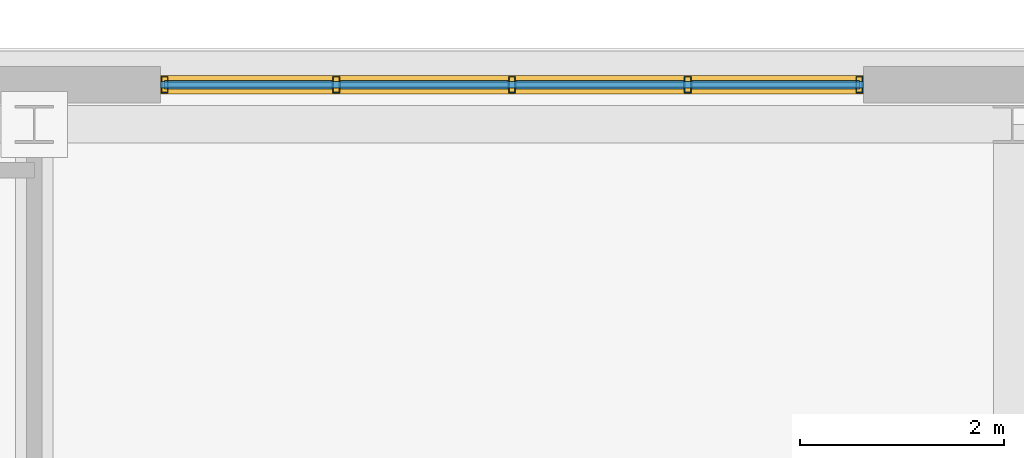
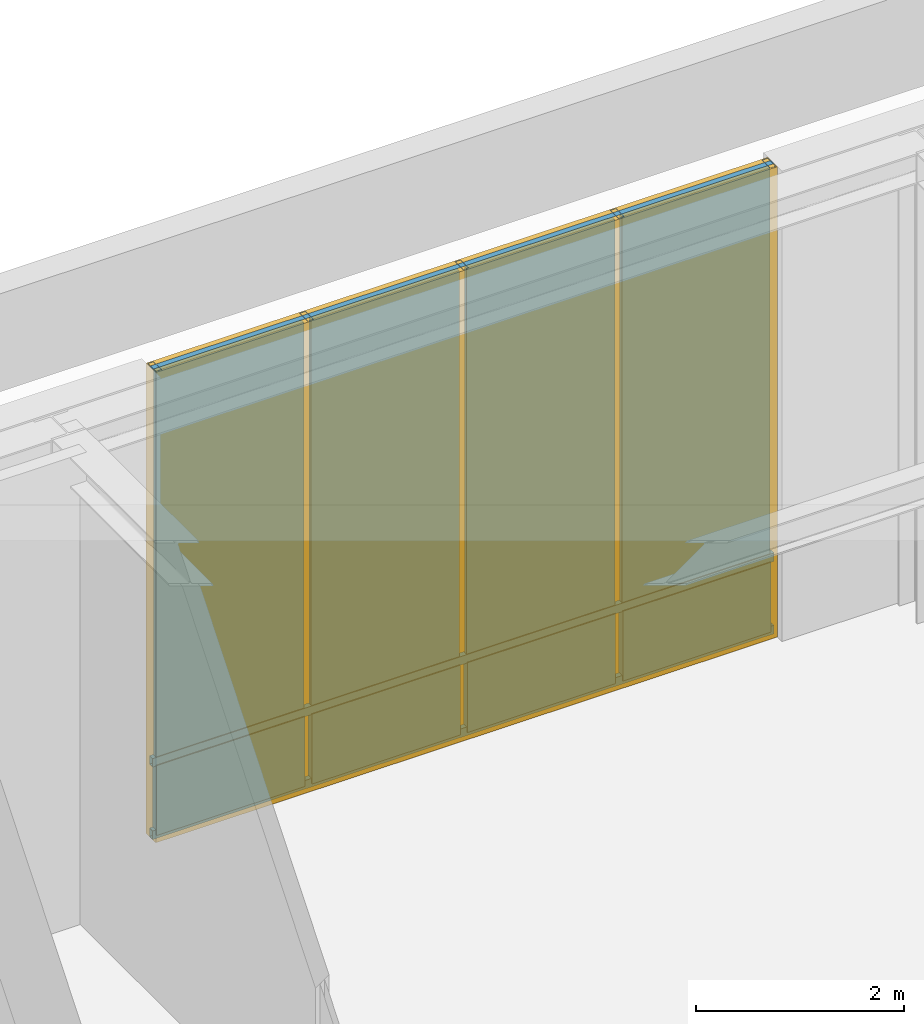
# One storey, part 14 of 17: 8 members, 8 plates, 1 curtain wall.
"""IFC4 building model written with IfcOpenShell, lengths in metres."""

from ifc_helpers import new_model, si_unit, direction, frame, frame_2d, origin, origin_2d, place, context, subcontext, project, spatial, rectangle, hollow_rectangle, extrude, material, layer, layer_set, material_profile, profile_set, type_object, element, aggregate, save


model = new_model("IFC4")

# Units and contexts
model_context = context("Model", 3, precision=1e-05, world=origin(), true_north=direction((0.0, 1.0)))
body_context = subcontext(model_context, "Body", "Model", "MODEL_VIEW")
ifc_project = project(units=[si_unit("LENGTHUNIT", "METRE"), si_unit("AREAUNIT", "SQUARE_METRE"), si_unit("VOLUMEUNIT", "CUBIC_METRE"), si_unit("PLANEANGLEUNIT", "RADIAN"), si_unit("MASSUNIT", "GRAM", prefix="KILO")], contexts=[model_context])

# Member
ifc_material_1 = material(Name="Anodized Aluminium 6063-T6", Category="aluminium")
ifc_material_profile_1 = material_profile(ifc_material_1, hollow_rectangle(XDim=0.06494140625, YDim=0.159912109375, WallThickness=0.00390625, at=origin_2d()), Name="Anodized Aluminium 6063-T6")
ifc_profile_set_1 = profile_set([ifc_material_profile_1], Name="Anodized Aluminium 6063-T6")
member_type_1 = type_object("IfcMemberType", Name="Curtain Wall Mullion 160", PredefinedType="MULLION", material=ifc_profile_set_1)
site_placement = place(None, origin())
building_placement = place(site_placement, origin())
storey_placement = place(building_placement, frame((0.0, 0.0, 308.0)))
member_1_placement = place(storey_placement, frame((27.300048828125, 47.639892578125, 0.0), z_axis=(0.0, 0.0, 1.0), x_axis=(-1.0, 0.0, 0.0)))
member_1 = element("IfcMember", 1, at=member_1_placement, type_object=member_type_1, Name="Curtain Wall Mullion CW-L78-E11-1-M01", PredefinedType="MULLION", context=body_context, shape_type="SweptSolid", body=[
    extrude(hollow_rectangle(XDim=0.06494140625, YDim=0.159912109375, WallThickness=0.00390625, at=origin_2d()), origin(), (0.0, 0.0, 1.0), 5.52001953125),
])

member_2_placement = place(storey_placement, frame((25.614990234375, 47.639892578125, 0.0), z_axis=(0.0, 0.0, 1.0), x_axis=(-1.0, 0.0, 0.0)))
member_2 = element("IfcMember", 2, at=member_2_placement, type_object=member_type_1, Name="Curtain Wall Mullion CW-L78-E11-1-M02", PredefinedType="MULLION", context=body_context, shape_type="SweptSolid", body=[
    extrude(hollow_rectangle(XDim=0.06494140625, YDim=0.159912109375, WallThickness=0.00390625, at=origin_2d()), origin(), (0.0, 0.0, 1.0), 5.52001953125),
])

member_3_placement = place(storey_placement, frame((23.889892578125, 47.639892578125, 0.0), z_axis=(0.0, 0.0, 1.0), x_axis=(-1.0, 0.0, 0.0)))
member_3 = element("IfcMember", 3, at=member_3_placement, type_object=member_type_1, Name="Curtain Wall Mullion CW-L78-E11-1-M03", PredefinedType="MULLION", context=body_context, shape_type="SweptSolid", body=[
    extrude(hollow_rectangle(XDim=0.06494140625, YDim=0.159912109375, WallThickness=0.00390625, at=origin_2d()), origin(), (0.0, 0.0, 1.0), 5.52001953125),
])

member_4_placement = place(storey_placement, frame((22.1650390625, 47.639892578125, 0.0), z_axis=(0.0, 0.0, 1.0), x_axis=(-1.0, 0.0, 0.0)))
member_4 = element("IfcMember", 4, at=member_4_placement, type_object=member_type_1, Name="Curtain Wall Mullion CW-L78-E11-1-M04", PredefinedType="MULLION", context=body_context, shape_type="SweptSolid", body=[
    extrude(hollow_rectangle(XDim=0.06494140625, YDim=0.159912109375, WallThickness=0.00390625, at=origin_2d()), origin(), (0.0, 0.0, 1.0), 5.52001953125),
])

member_5_placement = place(storey_placement, frame((20.47998046875, 47.639892578125, 0.0), z_axis=(0.0, 0.0, 1.0), x_axis=(-1.0, 0.0, 0.0)))
member_5 = element("IfcMember", 5, at=member_5_placement, type_object=member_type_1, Name="Curtain Wall Mullion CW-L78-E11-1-M05", PredefinedType="MULLION", context=body_context, shape_type="SweptSolid", body=[
    extrude(hollow_rectangle(XDim=0.06494140625, YDim=0.159912109375, WallThickness=0.00390625, at=origin_2d()), origin(), (0.0, 0.0, 1.0), 5.52001953125),
])

ifc_material_profile_2 = material_profile(ifc_material_1, hollow_rectangle(XDim=0.06005859375, YDim=0.10009765625, WallThickness=0.0029296875, at=origin_2d()), Name="Anodized Aluminium 6063-T6")
ifc_profile_set_2 = profile_set([ifc_material_profile_2], Name="Anodized Aluminium 6063-T6")
member_type_2 = type_object("IfcMemberType", Name="Curtain Wall Transom 100", PredefinedType="USERDEFINED", material=ifc_profile_set_2)
member_6_placement = place(storey_placement, frame((27.340087890625, 47.639892578125, 0.050048828125), z_axis=(-1.0, 0.0, 0.0), x_axis=(0.0, -1.0, 0.0)))
member_6 = element("IfcMember", 6, at=member_6_placement, type_object=member_type_2, Name="Curtain Wall Transom CW-L78-E11-1-T01", ObjectType="TRANSOM", PredefinedType="USERDEFINED", context=body_context, shape_type="SweptSolid", body=[
    extrude(hollow_rectangle(XDim=0.06005859375, YDim=0.10009765625, WallThickness=0.0029296875, at=origin_2d()), origin(), (0.0, 0.0, 1.0), 6.900146484375),
])

member_7_placement = place(storey_placement, frame((27.340087890625, 47.639892578125, 0.89990234375), z_axis=(-1.0, 0.0, 0.0), x_axis=(0.0, -1.0, 0.0)))
member_7 = element("IfcMember", 7, at=member_7_placement, type_object=member_type_2, Name="Curtain Wall Transom CW-L78-E11-1-T02", ObjectType="TRANSOM", PredefinedType="USERDEFINED", context=body_context, shape_type="SweptSolid", body=[
    extrude(hollow_rectangle(XDim=0.06005859375, YDim=0.10009765625, WallThickness=0.0029296875, at=origin_2d()), origin(), (0.0, 0.0, 1.0), 6.900146484375),
])

member_8_placement = place(storey_placement, frame((27.340087890625, 47.639892578125, 5.469970703125), z_axis=(-1.0, 0.0, 0.0), x_axis=(0.0, -1.0, 0.0)))
member_8 = element("IfcMember", 8, at=member_8_placement, type_object=member_type_2, Name="Curtain Wall Transom CW-L78-E11-1-T03", ObjectType="TRANSOM", PredefinedType="USERDEFINED", context=body_context, shape_type="SweptSolid", body=[
    extrude(hollow_rectangle(XDim=0.06005859375, YDim=0.10009765625, WallThickness=0.0029296875, at=origin_2d()), origin(), (0.0, 0.0, 1.0), 6.900146484375),
])

# Plate
ifc_material_2 = material(Name="Triple Low-E Argon Glazing", Category="glass")
ifc_layer_1 = layer(ifc_material_2, 0.0439453125, Name="Triple Low-E Argon Glazing")
ifc_layer_set_1 = layer_set([ifc_layer_1], Name="Triple Low-E Argon Glazing")
plate_type_1 = type_object("IfcPlateType", Name="Plate CWGlazing 44", PredefinedType="CURTAIN_PANEL", material=ifc_layer_set_1)
plate_1_placement = place(storey_placement, frame((26.4775390625, 47.639892578125, 0.93994140625), z_axis=(0.0, 0.0, 1.0), x_axis=(-1.0, 0.0, 0.0)))
plate_1 = element("IfcPlate", 9, at=plate_1_placement, type_object=plate_type_1, Name="Vision Glazing Panel CW-L78-E11-1-GL01", PredefinedType="CURTAIN_PANEL", context=body_context, shape_type="SweptSolid", body=[
    extrude(rectangle(XDim=1.64501953125, YDim=0.0439453125, at=origin_2d()), origin(), (0.0, 0.0, 1.0), 4.5400390625),
])

plate_2_placement = place(storey_placement, frame((24.75244140625, 47.639892578125, 0.93994140625), z_axis=(0.0, 0.0, 1.0), x_axis=(-1.0, 0.0, 0.0)))
plate_2 = element("IfcPlate", 10, at=plate_2_placement, type_object=plate_type_1, Name="Vision Glazing Panel CW-L78-E11-1-GL02", PredefinedType="CURTAIN_PANEL", context=body_context, shape_type="SweptSolid", body=[
    extrude(rectangle(XDim=1.64501953125, YDim=0.0439453125, at=origin_2d()), origin(), (0.0, 0.0, 1.0), 4.5400390625),
])

plate_3_placement = place(storey_placement, frame((23.027587890625, 47.639892578125, 0.93994140625), z_axis=(0.0, 0.0, 1.0), x_axis=(-1.0, 0.0, 0.0)))
plate_3 = element("IfcPlate", 11, at=plate_3_placement, type_object=plate_type_1, Name="Vision Glazing Panel CW-L78-E11-1-GL03", PredefinedType="CURTAIN_PANEL", context=body_context, shape_type="SweptSolid", body=[
    extrude(rectangle(XDim=1.64501953125, YDim=0.0439453125, at=origin_2d()), origin(), (0.0, 0.0, 1.0), 4.5400390625),
])

plate_4_placement = place(storey_placement, frame((21.302490234375, 47.639892578125, 0.93994140625), z_axis=(0.0, 0.0, 1.0), x_axis=(-1.0, 0.0, 0.0)))
plate_4 = element("IfcPlate", 12, at=plate_4_placement, type_object=plate_type_1, Name="Vision Glazing Panel CW-L78-E11-1-GL04", PredefinedType="CURTAIN_PANEL", context=body_context, shape_type="SweptSolid", body=[
    extrude(rectangle(XDim=1.64501953125, YDim=0.0439453125, at=origin_2d()), origin(), (0.0, 0.0, 1.0), 4.5400390625),
])

ifc_material_3 = material(Name="Insulated Aluminium Spandrel Panel", Category="aluminium")
ifc_layer_2 = layer(ifc_material_3, 0.080078125, Name="Insulated Aluminium Spandrel Panel")
ifc_layer_set_2 = layer_set([ifc_layer_2], Name="Insulated Aluminium Spandrel Panel")
plate_type_2 = type_object("IfcPlateType", Name="Plate CWSpandrel 80", PredefinedType="SHEET", material=ifc_layer_set_2)
plate_5_placement = place(storey_placement, frame((26.4775390625, 47.639892578125, 0.0400390625), z_axis=(0.0, 0.0, 1.0), x_axis=(-1.0, 0.0, 0.0)))
plate_5 = element("IfcPlate", 13, at=plate_5_placement, type_object=plate_type_2, Name="Spandrel Panel CW-L78-E11-1-SP01", PredefinedType="SHEET", context=body_context, shape_type="SweptSolid", body=[
    extrude(rectangle(XDim=1.64501953125, YDim=0.080078125, at=origin_2d()), origin(), (0.0, 0.0, 1.0), 0.820068359375),
])

plate_6_placement = place(storey_placement, frame((24.75244140625, 47.639892578125, 0.0400390625), z_axis=(0.0, 0.0, 1.0), x_axis=(-1.0, 0.0, 0.0)))
plate_6 = element("IfcPlate", 14, at=plate_6_placement, type_object=plate_type_2, Name="Spandrel Panel CW-L78-E11-1-SP02", PredefinedType="SHEET", context=body_context, shape_type="SweptSolid", body=[
    extrude(rectangle(XDim=1.64501953125, YDim=0.080078125, at=origin_2d()), origin(), (0.0, 0.0, 1.0), 0.820068359375),
])

plate_7_placement = place(storey_placement, frame((23.027587890625, 47.639892578125, 0.0400390625), z_axis=(0.0, 0.0, 1.0), x_axis=(-1.0, 0.0, 0.0)))
plate_7 = element("IfcPlate", 15, at=plate_7_placement, type_object=plate_type_2, Name="Spandrel Panel CW-L78-E11-1-SP03", PredefinedType="SHEET", context=body_context, shape_type="SweptSolid", body=[
    extrude(rectangle(XDim=1.64501953125, YDim=0.080078125, at=origin_2d()), origin(), (0.0, 0.0, 1.0), 0.820068359375),
])

plate_8_placement = place(storey_placement, frame((21.302490234375, 47.639892578125, 0.0400390625), z_axis=(0.0, 0.0, 1.0), x_axis=(-1.0, 0.0, 0.0)))
plate_8 = element("IfcPlate", 16, at=plate_8_placement, type_object=plate_type_2, Name="Spandrel Panel CW-L78-E11-1-SP04", PredefinedType="SHEET", context=body_context, shape_type="SweptSolid", body=[
    extrude(rectangle(XDim=1.64501953125, YDim=0.080078125, at=origin_2d()), origin(), (0.0, 0.0, 1.0), 0.820068359375),
])

# Site, building, storey
site = spatial("IfcSite", under=ifc_project, at=site_placement, CompositionType="ELEMENT")
building = spatial("IfcBuilding", under=site, at=building_placement, Name="Norrvale University Quadrangle", CompositionType="ELEMENT")
storey = spatial("IfcBuildingStorey", under=building, at=storey_placement, Name="L78", CompositionType="ELEMENT", Elevation=308.0)

# Curtain wall
ifc_material_4 = material(Name="Anodized Aluminium and Triple Glazing", Category="glass")
curtain_wall_type = type_object("IfcCurtainWallType", Name="Curtain Wall System 6 Pool Crown", PredefinedType="NOTDEFINED", material=ifc_material_4)
curtain_wall_placement = place(storey_placement, frame((27.340087890625, 47.639892578125, 0.0), z_axis=(0.0, 0.0, 1.0), x_axis=(-1.0, 0.0, 0.0)))
curtain_wall = element("IfcCurtainWall", 17, at=curtain_wall_placement, inside=storey, type_object=curtain_wall_type, Name="Curtain Wall CW System 6 Pool Crown CW-L78-E11-1", PredefinedType="NOTDEFINED", context=body_context, shape_type="SweptSolid", body=[
    extrude(rectangle(XDim=6.900146484375, YDim=0.18505859375, at=frame_2d((3.4501953125, 0.0))), origin(), (0.0, 0.0, 1.0), 5.52001953125),
])

aggregate(curtain_wall, [member_1, member_2, member_3, member_4, member_5, member_6, member_7, member_8, plate_5, plate_1, plate_6, plate_2, plate_7, plate_3, plate_8, plate_4])

save(model, "model.ifc")
